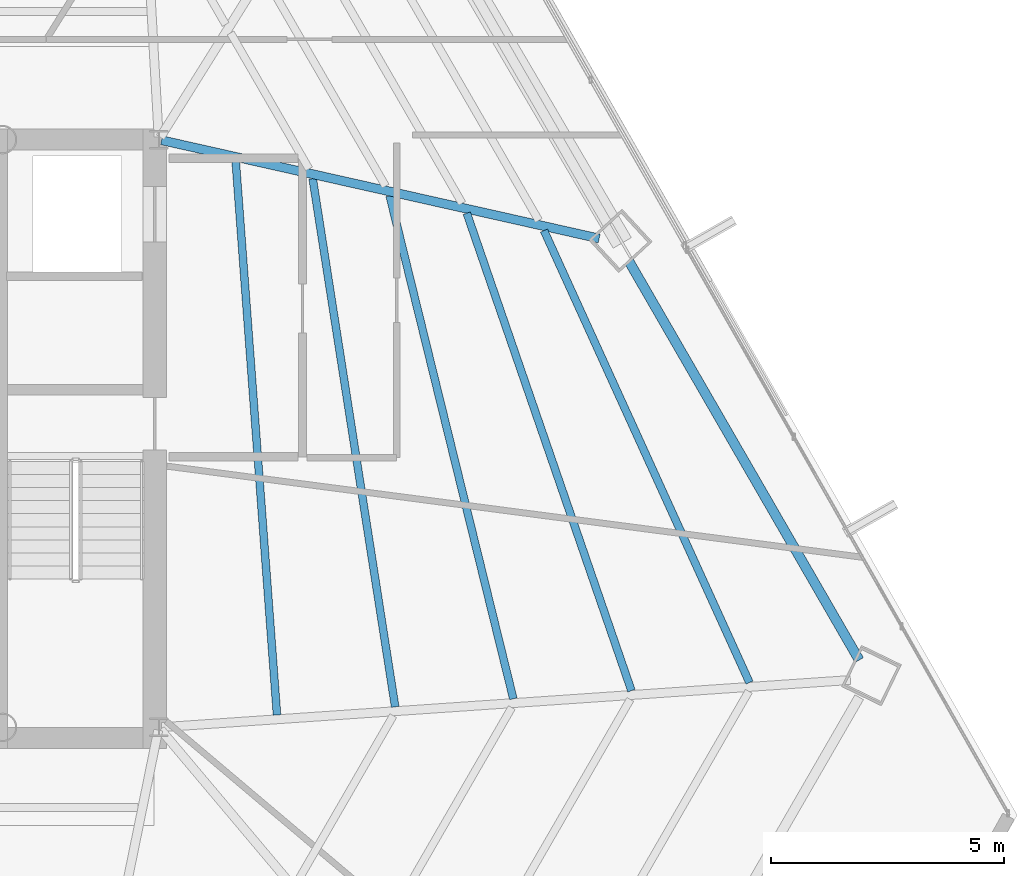
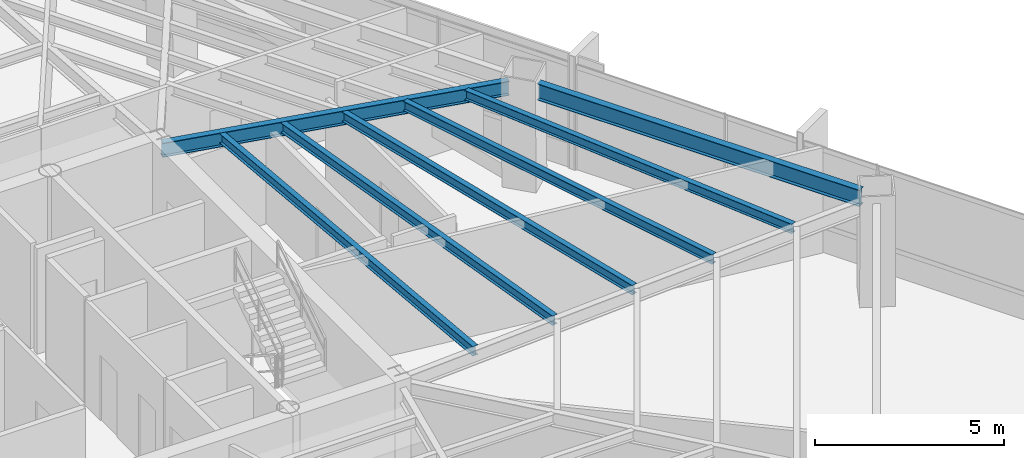
# One storey, part 22 of 39: 7 beams.
"""IFC4 building model written with IfcOpenShell, lengths in metres."""

from ifc_helpers import new_model, si_unit, direction, frame, origin, origin_2d, place, context, subcontext, project, spatial, i_section, extrude, source, transform, mapped, material, material_profile, profile_set, type_object, type_shapes, element, save


model = new_model("IFC4")

# Units and contexts
model_context = context("Model", 3, precision=1e-05, world=origin(), true_north=direction((0.0, 1.0)))
body_context = subcontext(model_context, "Body", "Model", "MODEL_VIEW")
ifc_project = project(units=[si_unit("LENGTHUNIT", "METRE"), si_unit("AREAUNIT", "SQUARE_METRE"), si_unit("VOLUMEUNIT", "CUBIC_METRE"), si_unit("PLANEANGLEUNIT", "RADIAN"), si_unit("MASSUNIT", "GRAM", prefix="KILO")], contexts=[model_context])

# Site, building, storey
site_placement = place(None, origin())
site = spatial("IfcSite", under=ifc_project, at=site_placement, CompositionType="ELEMENT")
building_placement = place(site_placement, origin())
building = spatial("IfcBuilding", under=site, at=building_placement, Name="Caelisora Broadcast Tower", CompositionType="ELEMENT")
storey_placement = place(building_placement, frame((0.0, 0.0, 139.10009765625)))
storey = spatial("IfcBuildingStorey", under=building, at=storey_placement, Name="L36", CompositionType="ELEMENT", Elevation=139.10009765625)

# Beams
ifc_material = material(Name="Steel Grade 350 (AS/NZS 3679.1)", Category="steel")
ifc_material_profile_1 = material_profile(ifc_material, i_section(OverallWidth=0.208984375, OverallDepth=0.532958984375, WebThickness=0.01025390625, FlangeThickness=0.015625, at=origin_2d()), Name="Steel Grade 350 (AS/NZS 3679.1)")
ifc_profile_set_1 = profile_set([ifc_material_profile_1], Name="Steel Grade 350 (AS/NZS 3679.1)")
beam_type_1 = type_object("IfcBeamType", Name="PG05", PredefinedType="BEAM", material=ifc_profile_set_1)
shared_shape_1 = source(origin(), body_context, "Body", "SweptSolid", [
    extrude(i_section(OverallWidth=0.208984375, OverallDepth=0.532958984375, WebThickness=0.01025390625, FlangeThickness=0.015625, at=origin_2d()), origin(), (0.0, 0.0, 1.0), 9.86865234375),
])
type_shapes(beam_type_1, [shared_shape_1])
beam_1_placement = place(storey_placement, frame((60.513916015625, 18.843017578125, 3.13330078125), z_axis=(-0.500005129863, 0.866022442036, 0.0), x_axis=(-0.866022442036, -0.500005129863, 0.0)))
element("IfcBeam", 1, at=beam_1_placement, inside=storey, type_object=beam_type_1, Name="L36 beam PG05", PredefinedType="BEAM", context=body_context, shape_type="MappedRepresentation", body=[
    mapped(shared_shape_1, transform((0.0, 0.0, 0.0), scale=1.0)),
])
ifc_material_profile_2 = material_profile(ifc_material, i_section(OverallWidth=0.19091796875, OverallDepth=0.46044921875, WebThickness=0.010009765625, FlangeThickness=0.01611328125, at=origin_2d()), Name="Steel Grade 350 (AS/NZS 3679.1)")
ifc_profile_set_2 = profile_set([ifc_material_profile_2], Name="Steel Grade 350 (AS/NZS 3679.1)")
beam_type_2 = type_object("IfcBeamType", Name="PG06", PredefinedType="BEAM", material=ifc_profile_set_2)
shared_shape_2 = source(origin(), body_context, "Body", "SweptSolid", [
    extrude(i_section(OverallWidth=0.19091796875, OverallDepth=0.46044921875, WebThickness=0.010009765625, FlangeThickness=0.01611328125, at=origin_2d()), origin(), (0.0, 0.0, 1.0), 9.61474609375),
])
type_shapes(beam_type_2, [shared_shape_2])
beam_2_placement = place(storey_placement, frame((45.55859375, 29.98681640625, 3.169677734375), z_axis=(0.975694650906, -0.219134543587, 0.0), x_axis=(0.219134543587, 0.975694650906, 0.0)))
element("IfcBeam", 2, at=beam_2_placement, inside=storey, type_object=beam_type_2, Name="L36 beam PG06", PredefinedType="BEAM", context=body_context, shape_type="MappedRepresentation", body=[
    mapped(shared_shape_2, transform((0.0, 0.0, 0.0), scale=1.0)),
])
ifc_material_profile_3 = material_profile(ifc_material, i_section(OverallWidth=0.166015625, OverallDepth=0.30712890625, WebThickness=0.006591796875, FlangeThickness=0.01171875, at=origin_2d()), Name="Steel Grade 350 (AS/NZS 3679.1)")
ifc_profile_set_3 = profile_set([ifc_material_profile_3], Name="Steel Grade 350 (AS/NZS 3679.1)")
beam_type_3 = type_object("IfcBeamType", Name="SB03", PredefinedType="JOIST", material=ifc_profile_set_3)
shared_shape_3 = source(origin(), body_context, "Body", "SweptSolid", [
    extrude(i_section(OverallWidth=0.166015625, OverallDepth=0.30712890625, WebThickness=0.006591796875, FlangeThickness=0.01171875, at=origin_2d()), origin(), (0.0, 0.0, 1.0), 11.901611328125),
])
beam_3_placement = place(storey_placement, frame((48.03369140625, 17.666259765625, 3.246337890625), z_axis=(-0.074360552583, 0.997231421597, 0.0), x_axis=(-0.997231421597, -0.074360552583, 0.0)))
element("IfcBeam", 3, at=beam_3_placement, inside=storey, type_object=beam_type_3, Name="L36 beam SB03", PredefinedType="JOIST", context=body_context, shape_type="MappedRepresentation", body=[
    mapped(shared_shape_3, transform((0.0, 0.0, 0.0), scale=1.0)),
])
shared_shape_4 = source(origin(), body_context, "Body", "SweptSolid", [
    extrude(i_section(OverallWidth=0.166015625, OverallDepth=0.30712890625, WebThickness=0.006591796875, FlangeThickness=0.01171875, at=origin_2d()), origin(), (0.0, 0.0, 1.0), 11.461181640625),
])
beam_4_placement = place(storey_placement, frame((50.56689453125, 17.840087890625, 3.246337890625), z_axis=(-0.154286556517, 0.988026142609, 0.0), x_axis=(-0.988026142609, -0.154286556517, 0.0)))
element("IfcBeam", 4, at=beam_4_placement, inside=storey, type_object=beam_type_3, Name="L36 beam SB03", PredefinedType="JOIST", context=body_context, shape_type="MappedRepresentation", body=[
    mapped(shared_shape_4, transform((0.0, 0.0, 0.0), scale=1.0)),
])
shared_shape_5 = source(origin(), body_context, "Body", "SweptSolid", [
    extrude(i_section(OverallWidth=0.166015625, OverallDepth=0.30712890625, WebThickness=0.006591796875, FlangeThickness=0.01171875, at=origin_2d()), origin(), (0.0, 0.0, 1.0), 11.100830078125),
])
beam_5_placement = place(storey_placement, frame((53.099609375, 18.013427734375, 3.246337890625), z_axis=(-0.238714683421, 0.971089748643, 0.0), x_axis=(-0.971089748643, -0.238714683421, 0.0)))
element("IfcBeam", 5, at=beam_5_placement, inside=storey, type_object=beam_type_3, Name="L36 beam SB03", PredefinedType="JOIST", context=body_context, shape_type="MappedRepresentation", body=[
    mapped(shared_shape_5, transform((0.0, 0.0, 0.0), scale=1.0)),
])
shared_shape_6 = source(origin(), body_context, "Body", "SweptSolid", [
    extrude(i_section(OverallWidth=0.166015625, OverallDepth=0.30712890625, WebThickness=0.006591796875, FlangeThickness=0.01171875, at=origin_2d()), origin(), (0.0, 0.0, 1.0), 10.826416015625),
])
beam_6_placement = place(storey_placement, frame((55.63134765625, 18.18701171875, 3.246337890625), z_axis=(-0.325986513556, 0.945374419466, 0.0), x_axis=(-0.945374419466, -0.325986513556, 0.0)))
element("IfcBeam", 6, at=beam_6_placement, inside=storey, type_object=beam_type_3, Name="L36 beam SB03", PredefinedType="JOIST", context=body_context, shape_type="MappedRepresentation", body=[
    mapped(shared_shape_6, transform((0.0, 0.0, 0.0), scale=1.0)),
])
shared_shape_7 = source(origin(), body_context, "Body", "SweptSolid", [
    extrude(i_section(OverallWidth=0.166015625, OverallDepth=0.30712890625, WebThickness=0.006591796875, FlangeThickness=0.01171875, at=origin_2d()), origin(), (0.0, 0.0, 1.0), 10.644287109375),
])
type_shapes(beam_type_3, [shared_shape_3, shared_shape_4, shared_shape_5, shared_shape_6, shared_shape_7])
beam_7_placement = place(storey_placement, frame((58.162353515625, 18.360595703125, 3.246337890625), z_axis=(-0.413927360793, 0.910309914253, 0.0), x_axis=(-0.910309914253, -0.413927360793, 0.0)))
element("IfcBeam", 7, at=beam_7_placement, inside=storey, type_object=beam_type_3, Name="L36 beam SB03", PredefinedType="JOIST", context=body_context, shape_type="MappedRepresentation", body=[
    mapped(shared_shape_7, transform((0.0, 0.0, 0.0), scale=1.0)),
])

save(model, "model.ifc")
